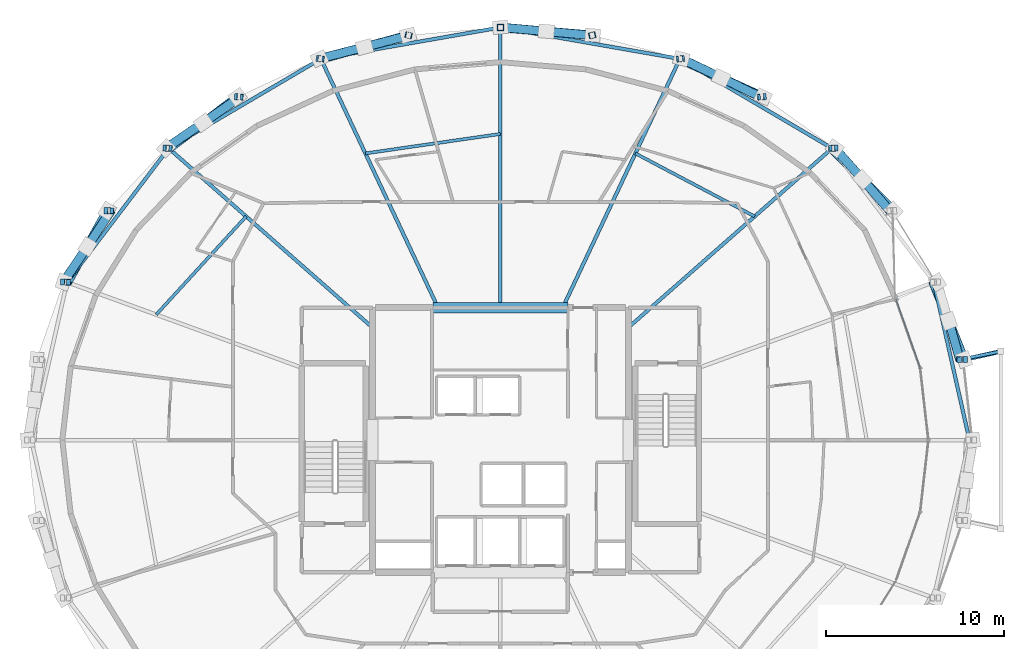
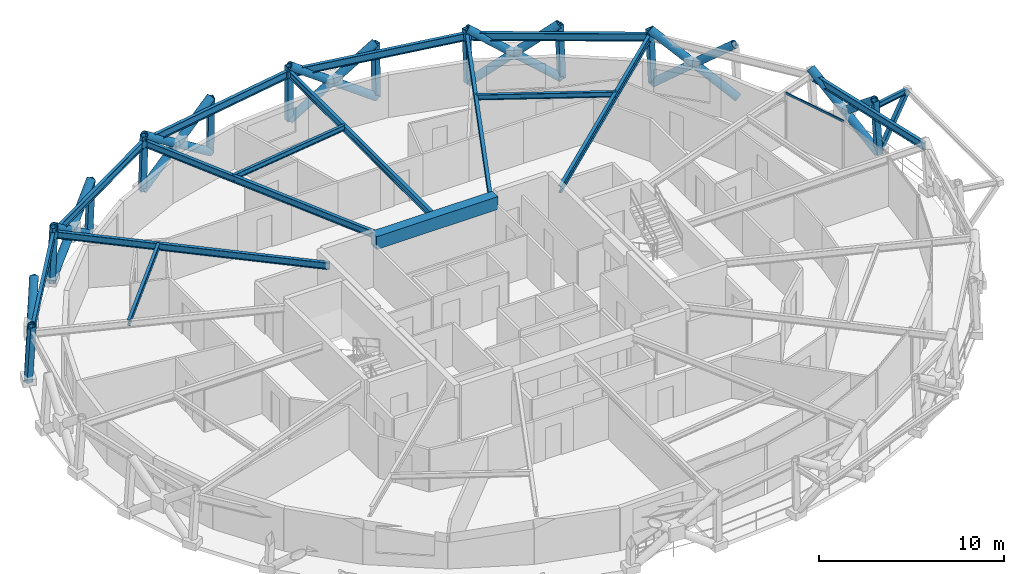
# One storey, part 9 of 17: 34 members, 16 beams, 1 element without a shape of its own.
"""IFC4 building model written with IfcOpenShell, lengths in metres."""

from ifc_helpers import new_model, si_unit, direction, frame, origin, origin_2d, place, context, subcontext, project, spatial, rectangle, hollow_rectangle, hollow_circle, i_section, extrude, material, layer, layer_set, material_profile, profile_set, type_object, element, aggregate, save


model = new_model("IFC4")

# Units and contexts
model_context = context("Model", 3, precision=1e-05, world=origin(), true_north=direction((0.0, 1.0)))
body_context = subcontext(model_context, "Body", "Model", "MODEL_VIEW")
ifc_project = project(units=[si_unit("LENGTHUNIT", "METRE"), si_unit("AREAUNIT", "SQUARE_METRE"), si_unit("VOLUMEUNIT", "CUBIC_METRE"), si_unit("PLANEANGLEUNIT", "RADIAN"), si_unit("MASSUNIT", "GRAM", prefix="KILO")], contexts=[model_context])

# Site, building, storey
site_placement = place(None, origin())
site = spatial("IfcSite", under=ifc_project, at=site_placement, CompositionType="ELEMENT")
building_placement = place(site_placement, origin())
building = spatial("IfcBuilding", under=site, at=building_placement, Name="Veldorina Hangang Commons", CompositionType="ELEMENT")
storey_placement = place(building_placement, frame((0.0, 0.0, 196.39990234375)))
storey = spatial("IfcBuildingStorey", under=building, at=storey_placement, Name="L51", CompositionType="ELEMENT", Elevation=196.39990234375)

# Beams
ifc_material_1 = material(Name="Concrete C60/75", Category="concrete")
ifc_material_profile_1 = material_profile(ifc_material_1, rectangle(XDim=0.60009765625, YDim=0.85009765625, at=origin_2d()), Name="RC-CB-600x850")
ifc_profile_set_1 = profile_set([ifc_material_profile_1], Name="Concrete C60/75")
beam_type_1 = type_object("IfcBeamType", Name="BM-CB850", PredefinedType="LINTEL", material=ifc_profile_set_1)
beam_1_placement = place(storey_placement, frame((28.199951171875, 31.449951171875, 2.925048828125), z_axis=(1.0, 0.0, 0.0), x_axis=(0.0, 1.0, 0.0)))
element("IfcBeam", 1, at=beam_1_placement, inside=storey, type_object=beam_type_1, Name="L51 north core coupling beam", PredefinedType="LINTEL", context=body_context, shape_type="SweptSolid", body=[
    extrude(rectangle(XDim=0.60009765625, YDim=0.85009765625, at=origin_2d()), origin(), (0.0, 0.0, 1.0), 7.60009765625),
])
ifc_material_2 = material(Name="Steel SM355-TMC", Category="steel")
ifc_material_profile_2 = material_profile(ifc_material_2, i_section(OverallWidth=0.175048828125, OverallDepth=0.35009765625, WebThickness=0.007080078125, FlangeThickness=0.010986328125, FilletRadius=0.012939453125, at=origin_2d()), Name="H-350x175x7x11")
ifc_profile_set_2 = profile_set([ifc_material_profile_2], Name="Steel SM355-TMC")
beam_type_2 = type_object("IfcBeamType", Name="BM-FG350", PredefinedType="BEAM", material=ifc_profile_set_2)
beam_2_placement = place(storey_placement, frame((57.85400390625, 28.529052734375, 3.175048828125), z_axis=(0.980779967158, 0.195117031602, 0.0), x_axis=(-0.195117031602, 0.980779967158, 0.0)))
element("IfcBeam", 2, at=beam_2_placement, inside=storey, type_object=beam_type_2, Name="L52 tree balcony 2 bracket beam B", PredefinedType="BEAM", context=body_context, shape_type="SweptSolid", body=[
    extrude(i_section(OverallWidth=0.175048828125, OverallDepth=0.35009765625, WebThickness=0.007080078125, FlangeThickness=0.010986328125, FilletRadius=0.012939453125, at=origin_2d()), origin(), (0.0, 0.0, 1.0), 2.349853515625),
])
ifc_material_profile_3 = material_profile(ifc_material_2, i_section(OverallWidth=0.199951171875, OverallDepth=0.449951171875, WebThickness=0.009033203125, FlangeThickness=0.013916015625, FilletRadius=0.01611328125, at=origin_2d()), Name="H-450x200x9x14")
ifc_profile_set_3 = profile_set([ifc_material_profile_3], Name="Steel SM355-TMC")
beam_type_3 = type_object("IfcBeamType", Name="BM-FG450", PredefinedType="BEAM", material=ifc_profile_set_3)
beam_3_placement = place(storey_placement, frame((39.199951171875, 30.3330078125, 3.125), z_axis=(0.750872417712, 0.660447282013, 0.0), x_axis=(-0.660447282013, 0.750872417712, 0.0)))
element("IfcBeam", 3, at=beam_3_placement, inside=storey, type_object=beam_type_3, Name="L51 radial floor girder 03", PredefinedType="BEAM", context=body_context, shape_type="SweptSolid", body=[
    extrude(i_section(OverallWidth=0.199951171875, OverallDepth=0.449951171875, WebThickness=0.009033203125, FlangeThickness=0.013916015625, FilletRadius=0.01611328125, at=origin_2d()), origin(), (0.0, 0.0, 1.0), 15.26806640625),
])
beam_4_placement = place(storey_placement, frame((35.50830078125, 31.449951171875, 3.125), z_axis=(0.426043196032, 0.904702821436, 0.0), x_axis=(-0.904702821436, 0.426043196032, 0.0)))
element("IfcBeam", 4, at=beam_4_placement, inside=storey, type_object=beam_type_3, Name="L51 radial floor girder 04", PredefinedType="BEAM", context=body_context, shape_type="SweptSolid", body=[
    extrude(i_section(OverallWidth=0.199951171875, OverallDepth=0.449951171875, WebThickness=0.009033203125, FlangeThickness=0.013916015625, FilletRadius=0.01611328125, at=origin_2d()), origin(), (0.0, 0.0, 1.0), 15.474365234375),
])
beam_5_placement = place(storey_placement, frame((32.0, 31.449951171875, 3.125), z_axis=(0.0, 1.0, 0.0), x_axis=(-1.0, 0.0, 0.0)))
element("IfcBeam", 5, at=beam_5_placement, inside=storey, type_object=beam_type_3, Name="L51 radial floor girder 05", PredefinedType="BEAM", context=body_context, shape_type="SweptSolid", body=[
    extrude(i_section(OverallWidth=0.199951171875, OverallDepth=0.449951171875, WebThickness=0.009033203125, FlangeThickness=0.013916015625, FilletRadius=0.01611328125, at=origin_2d()), origin(), (0.0, 0.0, 1.0), 15.766845703125),
])
beam_6_placement = place(storey_placement, frame((28.49169921875, 31.449951171875, 3.125), z_axis=(-0.426043196032, 0.904702821436, 0.0), x_axis=(-0.904702821436, -0.426043196032, 0.0)))
element("IfcBeam", 6, at=beam_6_placement, inside=storey, type_object=beam_type_3, Name="L51 radial floor girder 06", PredefinedType="BEAM", context=body_context, shape_type="SweptSolid", body=[
    extrude(i_section(OverallWidth=0.199951171875, OverallDepth=0.449951171875, WebThickness=0.009033203125, FlangeThickness=0.013916015625, FilletRadius=0.01611328125, at=origin_2d()), origin(), (0.0, 0.0, 1.0), 15.474365234375),
])
beam_7_placement = place(storey_placement, frame((24.800048828125, 30.3330078125, 3.125), z_axis=(-0.750872417712, 0.660447282013, 0.0), x_axis=(-0.660447282013, -0.750872417712, 0.0)))
element("IfcBeam", 7, at=beam_7_placement, inside=storey, type_object=beam_type_3, Name="L51 radial floor girder 07", PredefinedType="BEAM", context=body_context, shape_type="SweptSolid", body=[
    extrude(i_section(OverallWidth=0.199951171875, OverallDepth=0.449951171875, WebThickness=0.009033203125, FlangeThickness=0.013916015625, FilletRadius=0.01611328125, at=origin_2d()), origin(), (0.0, 0.0, 1.0), 15.26806640625),
])
ifc_material_profile_4 = material_profile(ifc_material_2, i_section(OverallWidth=0.175048828125, OverallDepth=0.35009765625, WebThickness=0.007080078125, FlangeThickness=0.010986328125, FilletRadius=0.012939453125, at=origin_2d()), Name="H-350x175x7x11")
ifc_profile_set_4 = profile_set([ifc_material_profile_4], Name="Steel SM355-TMC")
beam_type_4 = type_object("IfcBeamType", Name="BM-JST350", PredefinedType="JOIST", material=ifc_profile_set_4)
beam_8_placement = place(storey_placement, frame((46.307861328125, 36.5849609375, 3.175048828125), z_axis=(-0.884247518612, 0.467018549769, 0.0), x_axis=(-0.467018549769, -0.884247518612, 0.0)))
element("IfcBeam", 8, at=beam_8_placement, inside=storey, type_object=beam_type_4, Name="L51 secondary floor joist 03", PredefinedType="JOIST", context=body_context, shape_type="SweptSolid", body=[
    extrude(i_section(OverallWidth=0.175048828125, OverallDepth=0.35009765625, WebThickness=0.007080078125, FlangeThickness=0.010986328125, FilletRadius=0.012939453125, at=origin_2d()), origin(), (0.0, 0.0, 1.0), 7.590576171875),
])
beam_9_placement = place(storey_placement, frame((32.0, 41.2255859375, 3.175048828125), z_axis=(-0.989755795324, -0.14277067494, 0.0), x_axis=(0.14277067494, -0.989755795324, 0.0)))
element("IfcBeam", 9, at=beam_9_placement, inside=storey, type_object=beam_type_4, Name="L51 secondary floor joist 05", PredefinedType="JOIST", context=body_context, shape_type="SweptSolid", body=[
    extrude(i_section(OverallWidth=0.175048828125, OverallDepth=0.35009765625, WebThickness=0.007080078125, FlangeThickness=0.010986328125, FilletRadius=0.012939453125, at=origin_2d()), origin(), (0.0, 0.0, 1.0), 7.674560546875),
])
beam_10_placement = place(storey_placement, frame((17.692138671875, 36.5849609375, 3.175048828125), z_axis=(-0.675159460548, -0.737671812415, 0.0), x_axis=(0.737671812415, -0.675159460548, 0.0)))
element("IfcBeam", 10, at=beam_10_placement, inside=storey, type_object=beam_type_4, Name="L51 secondary floor joist 07", PredefinedType="JOIST", context=body_context, shape_type="SweptSolid", body=[
    extrude(i_section(OverallWidth=0.175048828125, OverallDepth=0.35009765625, WebThickness=0.007080078125, FlangeThickness=0.010986328125, FilletRadius=0.012939453125, at=origin_2d()), origin(), (0.0, 0.0, 1.0), 7.49462890625),
])
ifc_material_3 = material(Name="Steel SM420-TMC", Category="steel")
ifc_material_profile_5 = material_profile(ifc_material_3, i_section(OverallWidth=0.199951171875, OverallDepth=0.5, WebThickness=0.010009765625, FlangeThickness=0.01611328125, FilletRadius=0.01611328125, at=origin_2d()), Name="H-500x200x10x16")
ifc_profile_set_5 = profile_set([ifc_material_profile_5], Name="Steel SM420-TMC")
beam_type_5 = type_object("IfcBeamType", Name="BM-RB500", PredefinedType="BEAM", material=ifc_profile_set_5)
beam_11_placement = place(storey_placement, frame((58.3955078125, 24.0, 3.10009765625), z_axis=(-0.220578394149, 0.975369249072, 0.0), x_axis=(-0.975369249072, -0.220578394149, 0.0)))
element("IfcBeam", 11, at=beam_11_placement, inside=storey, type_object=beam_type_5, Name="L51 perimeter hoop ring beam 00", PredefinedType="BEAM", context=body_context, shape_type="SweptSolid", body=[
    extrude(i_section(OverallWidth=0.199951171875, OverallDepth=0.5, WebThickness=0.010009765625, FlangeThickness=0.01611328125, FilletRadius=0.01611328125, at=origin_2d()), origin(), (0.0, 0.0, 1.0), 9.109130859375),
])
beam_12_placement = place(storey_placement, frame((50.664306640625, 40.416748046875, 3.10009765625), z_axis=(-0.862120555548, 0.506703214615, 0.0), x_axis=(-0.506703214615, -0.862120555548, 0.0)))
element("IfcBeam", 12, at=beam_12_placement, inside=storey, type_object=beam_type_5, Name="L51 perimeter hoop ring beam 04", PredefinedType="BEAM", context=body_context, shape_type="SweptSolid", body=[
    extrude(i_section(OverallWidth=0.199951171875, OverallDepth=0.5, WebThickness=0.010009765625, FlangeThickness=0.01611328125, FilletRadius=0.01611328125, at=origin_2d()), origin(), (0.0, 0.0, 1.0), 9.932861328125),
])
for number, where, z_axis, x_axis, name in (
    (13, (42.10107421875, 45.44970703125, 3.10009765625), (-0.985040369971, 0.172323734661, 0.0), (-0.172323734661, -0.985040369971, 0.0), "L51 perimeter hoop ring beam 06"),
    (14, (32.0, 47.216796875, 3.10009765625), (-0.985040369971, -0.172323734661, 0.0), (0.172323734661, -0.985040369971, 0.0), "L51 perimeter hoop ring beam 08"),
):
    element("IfcBeam", number, at=place(storey_placement, frame(where, z_axis=z_axis, x_axis=x_axis)), inside=storey, type_object=beam_type_5, Name=name, PredefinedType="BEAM", context=body_context, shape_type="SweptSolid", body=[
        extrude(i_section(OverallWidth=0.199951171875, OverallDepth=0.5, WebThickness=0.010009765625, FlangeThickness=0.01611328125, FilletRadius=0.01611328125, at=origin_2d()), origin(), (0.0, 0.0, 1.0), 10.25439453125),
    ])
beam_13_placement = place(storey_placement, frame((21.89892578125, 45.44970703125, 3.10009765625), z_axis=(-0.862120555548, -0.506703214615, 0.0), x_axis=(0.506703214615, -0.862120555548, 0.0)))
element("IfcBeam", 15, at=beam_13_placement, inside=storey, type_object=beam_type_5, Name="L51 perimeter hoop ring beam 10", PredefinedType="BEAM", context=body_context, shape_type="SweptSolid", body=[
    extrude(i_section(OverallWidth=0.199951171875, OverallDepth=0.5, WebThickness=0.010009765625, FlangeThickness=0.01611328125, FilletRadius=0.01611328125, at=origin_2d()), origin(), (0.0, 0.0, 1.0), 9.932861328125),
])
beam_14_placement = place(storey_placement, frame((13.335693359375, 40.416748046875, 3.10009765625), z_axis=(-0.604923575038, -0.796283535158, 0.0), x_axis=(0.796283535158, -0.604923575038, 0.0)))
element("IfcBeam", 16, at=beam_14_placement, inside=storey, type_object=beam_type_5, Name="L51 perimeter hoop ring beam 12", PredefinedType="BEAM", context=body_context, shape_type="SweptSolid", body=[
    extrude(i_section(OverallWidth=0.199951171875, OverallDepth=0.5, WebThickness=0.010009765625, FlangeThickness=0.01611328125, FilletRadius=0.01611328125, at=origin_2d()), origin(), (0.0, 0.0, 1.0), 9.458984375),
])

# Curtain wall, member
ifc_material_4 = material(Name="Glass Low-E Triple IGU", Category="glass")
ifc_layer = layer(ifc_material_4, 0.179931640625)
ifc_layer_set = layer_set([ifc_layer], Name="Glass Low-E Triple IGU")
curtain_wall_type = type_object("IfcCurtainWallType", Name="CW-SYS-Z2", PredefinedType="NOTDEFINED", material=ifc_layer_set)
curtain_wall_placement = place(storey_placement, origin())
curtain_wall = element("IfcCurtainWall", 17, at=curtain_wall_placement, inside=storey, type_object=curtain_wall_type, Name="L51 unitised curtain wall CW-L51-R2", PredefinedType="NOTDEFINED")
ifc_material_5 = material(Name="Aluminium Anodized AA6063-T6", Category="aluminium")
ifc_material_profile_6 = material_profile(ifc_material_5, hollow_rectangle(XDim=0.06005859375, YDim=0.139892578125, WallThickness=0.00341796875, at=origin_2d()), Name="ALU-RHS-140x60x3.5")
ifc_profile_set_6 = profile_set([ifc_material_profile_6], Name="Aluminium Anodized AA6063-T6")
member_type_1 = type_object("IfcMemberType", Name="CW-TRN-140", PredefinedType="USERDEFINED", material=ifc_profile_set_6)
member_1_placement = place(storey_placement, frame((55.62890625, 28.039794921875, 3.27001953125), z_axis=(-0.332786016012, 0.943002368792, 0.0), x_axis=(-0.943002368792, -0.332786016012, 0.0)))
member_1 = element("IfcMember", 18, at=member_1_placement, type_object=member_type_1, Name="CW-L51-R2 facet 5 transom 1", ObjectType="TRANSOM", PredefinedType="USERDEFINED", context=body_context, shape_type="SweptSolid", body=[
    extrude(hollow_rectangle(XDim=0.06005859375, YDim=0.139892578125, WallThickness=0.00341796875, at=origin_2d()), origin(), (0.0, 0.0, 1.0), 4.119384765625),
])
aggregate(curtain_wall, [member_1])

# Members
ifc_material_profile_7 = material_profile(ifc_material_3, hollow_circle(Radius=0.25, WallThickness=0.02490234375, at=origin_2d()), Name="CHS-500x25")
ifc_profile_set_7 = profile_set([ifc_material_profile_7], Name="Steel SM420-TMC")
member_type_2 = type_object("IfcMemberType", Name="DG-CHS500", PredefinedType="BRACE", material=ifc_profile_set_7)
member_2_placement = place(storey_placement, frame((58.1005859375, 28.531494140625, 0.0), z_axis=(-0.295412634281, 0.736177864686, 0.608911756376), x_axis=(-0.928066853742, -0.372413634265, 0.0)))
element("IfcMember", 19, at=member_2_placement, inside=storey, type_object=member_type_2, Name="L51 continuous perimeter diagrid brace 01", PredefinedType="BRACE", context=body_context, shape_type="SweptSolid", body=[
    extrude(hollow_circle(Radius=0.25, WallThickness=0.02490234375, at=origin_2d()), origin(), (0.0, 0.0, 1.0), 5.912353515625),
])
member_3_placement = place(storey_placement, frame((57.2265625, 30.70947265625, 1.801513671875), z_axis=(0.216709601771, -0.753086946855, 0.621206084143), x_axis=(0.961002484027, 0.276539736194, 0.0)))
element("IfcMember", 20, at=member_3_placement, inside=storey, type_object=member_type_2, Name="L51 split perimeter diagrid upper brace 02", PredefinedType="BRACE", context=body_context, shape_type="SweptSolid", body=[
    extrude(hollow_circle(Radius=0.25, WallThickness=0.02490234375, at=origin_2d()), origin(), (0.0, 0.0, 1.0), 2.895263671875),
])
member_4_placement = place(storey_placement, frame((54.126953125, 36.904296875, 0.0), z_axis=(-0.569848896986, 0.573758529575, 0.58828002205), x_axis=(-0.709520009725, -0.70468528848, 0.0)))
element("IfcMember", 21, at=member_4_placement, inside=storey, type_object=member_type_2, Name="L51 continuous perimeter diagrid brace 03", PredefinedType="BRACE", context=body_context, shape_type="SweptSolid", body=[
    extrude(hollow_circle(Radius=0.25, WallThickness=0.02490234375, at=origin_2d()), origin(), (0.0, 0.0, 1.0), 6.11962890625),
])
member_5_placement = place(storey_placement, frame((50.8173828125, 40.42431640625, 0.0), z_axis=(0.52668884947, -0.593626169248, 0.608446240047), x_axis=(0.748021470714, 0.663674528177, 0.0)))
element("IfcMember", 22, at=member_5_placement, inside=storey, type_object=member_type_2, Name="L51 split perimeter diagrid lower brace 04", PredefinedType="BRACE", context=body_context, shape_type="SweptSolid", body=[
    extrude(hollow_circle(Radius=0.25, WallThickness=0.02490234375, at=origin_2d()), origin(), (0.0, 0.0, 1.0), 2.96533203125),
])
member_6_placement = place(storey_placement, frame((52.379150390625, 38.6640625, 1.80419921875), z_axis=(0.521312007407, -0.598396378485, 0.608404113357), x_axis=(0.75400167093, 0.656872499222, 0.0)))
element("IfcMember", 23, at=member_6_placement, inside=storey, type_object=member_type_2, Name="L51 split perimeter diagrid upper brace 04", PredefinedType="BRACE", context=body_context, shape_type="SweptSolid", body=[
    extrude(hollow_circle(Radius=0.25, WallThickness=0.02490234375, at=origin_2d()), origin(), (0.0, 0.0, 1.0), 2.951904296875),
])
member_7_placement = place(storey_placement, frame((46.784912109375, 43.312744140625, 0.0), z_axis=(-0.746592363198, 0.339381331004, 0.572206392293), x_axis=(-0.413824333539, -0.910356754779, 0.0)))
element("IfcMember", 24, at=member_7_placement, inside=storey, type_object=member_type_2, Name="L51 continuous perimeter diagrid brace 05", PredefinedType="BRACE", context=body_context, shape_type="SweptSolid", body=[
    extrude(hollow_circle(Radius=0.25, WallThickness=0.02490234375, at=origin_2d()), origin(), (0.0, 0.0, 1.0), 6.29150390625),
])
member_8_placement = place(storey_placement, frame((42.183837890625, 45.459228515625, 0.0), z_axis=(0.729605011064, -0.349556079528, 0.58778148584), x_axis=(0.432073614769, 0.901838339959, 0.0)))
element("IfcMember", 25, at=member_8_placement, inside=storey, type_object=member_type_2, Name="L51 split perimeter diagrid lower brace 06", PredefinedType="BRACE", context=body_context, shape_type="SweptSolid", body=[
    extrude(hollow_circle(Radius=0.25, WallThickness=0.02490234375, at=origin_2d()), origin(), (0.0, 0.0, 1.0), 3.074462890625),
])
member_9_placement = place(storey_placement, frame((44.427001953125, 44.384521484375, 1.80712890625), z_axis=(0.72713672016, -0.354644227521, 0.58779219294), x_axis=(0.43836710545, 0.898796017381, 0.0)))
element("IfcMember", 26, at=member_9_placement, inside=storey, type_object=member_type_2, Name="L51 split perimeter diagrid upper brace 06", PredefinedType="BRACE", context=body_context, shape_type="SweptSolid", body=[
    extrude(hollow_circle(Radius=0.25, WallThickness=0.02490234375, at=origin_2d()), origin(), (0.0, 0.0, 1.0), 3.05029296875),
])
member_10_placement = place(storey_placement, frame((37.191650390625, 46.781005859375, 0.0), z_axis=(-0.819823666124, 0.068546742458, 0.568498461353), x_axis=(-0.08332083198, -0.996522773929, 0.0)))
element("IfcMember", 27, at=member_10_placement, inside=storey, type_object=member_type_2, Name="L51 continuous perimeter diagrid brace 07", PredefinedType="BRACE", context=body_context, shape_type="SweptSolid", body=[
    extrude(hollow_circle(Radius=0.25, WallThickness=0.02490234375, at=origin_2d()), origin(), (0.0, 0.0, 1.0), 6.332763671875),
])
member_11_placement = place(storey_placement, frame((32.0, 47.227294921875, 0.0), z_axis=(0.817072425882, -0.072194549064, 0.571997026171), x_axis=(0.088014688191, 0.996119176938, 0.0)))
element("IfcMember", 28, at=member_11_placement, inside=storey, type_object=member_type_2, Name="L51 split perimeter diagrid lower brace 08", PredefinedType="BRACE", context=body_context, shape_type="SweptSolid", body=[
    extrude(hollow_circle(Radius=0.25, WallThickness=0.02490234375, at=origin_2d()), origin(), (0.0, 0.0, 1.0), 3.161865234375),
])
member_12_placement = place(storey_placement, frame((34.58349609375, 46.9990234375, 1.80859375), z_axis=(0.816998791874, -0.073422329894, 0.571945920127), x_axis=(0.089507626494, 0.995986136851, 0.0)))
element("IfcMember", 29, at=member_12_placement, inside=storey, type_object=member_type_2, Name="L51 split perimeter diagrid upper brace 08", PredefinedType="BRACE", context=body_context, shape_type="SweptSolid", body=[
    extrude(hollow_circle(Radius=0.25, WallThickness=0.02490234375, at=origin_2d()), origin(), (0.0, 0.0, 1.0), 3.13232421875),
])
member_13_placement = place(storey_placement, frame((26.808349609375, 46.781005859375, 0.0), z_axis=(-0.786934353182, -0.214254591023, 0.578644358832), x_axis=(0.262702121092, -0.964876984684, 0.0)))
element("IfcMember", 30, at=member_13_placement, inside=storey, type_object=member_type_2, Name="L51 continuous perimeter diagrid brace 09", PredefinedType="BRACE", context=body_context, shape_type="SweptSolid", body=[
    extrude(hollow_circle(Radius=0.25, WallThickness=0.02490234375, at=origin_2d()), origin(), (0.0, 0.0, 1.0), 6.2216796875),
])
member_14_placement = place(storey_placement, frame((21.816162109375, 45.459228515625, 0.0), z_axis=(0.796623827357, 0.205144455156, 0.568600237606), x_axis=(-0.249381190538, 0.968405401578, 0.0)))
element("IfcMember", 31, at=member_14_placement, inside=storey, type_object=member_type_2, Name="L51 split perimeter diagrid lower brace 10", PredefinedType="BRACE", context=body_context, shape_type="SweptSolid", body=[
    extrude(hollow_circle(Radius=0.25, WallThickness=0.02490234375, at=origin_2d()), origin(), (0.0, 0.0, 1.0), 3.179931640625),
])
member_15_placement = place(storey_placement, frame((24.349365234375, 46.111572265625, 1.80810546875), z_axis=(0.795753396541, 0.208601566912, 0.56856127038), x_axis=(-0.253575481187, 0.967315602759, 0.0)))
element("IfcMember", 32, at=member_15_placement, inside=storey, type_object=member_type_2, Name="L51 split perimeter diagrid upper brace 10", PredefinedType="BRACE", context=body_context, shape_type="SweptSolid", body=[
    extrude(hollow_circle(Radius=0.25, WallThickness=0.02490234375, at=origin_2d()), origin(), (0.0, 0.0, 1.0), 3.15185546875),
])
member_16_placement = place(storey_placement, frame((17.215087890625, 43.312744140625, 0.0), z_axis=(-0.640558891177, -0.481443559542, 0.598244436589), x_axis=(0.600817855641, -0.799385954557, 0.0)))
element("IfcMember", 33, at=member_16_placement, inside=storey, type_object=member_type_2, Name="L51 continuous perimeter diagrid brace 11", PredefinedType="BRACE", context=body_context, shape_type="SweptSolid", body=[
    extrude(hollow_circle(Radius=0.25, WallThickness=0.02490234375, at=origin_2d()), origin(), (0.0, 0.0, 1.0), 6.017822265625),
])
member_17_placement = place(storey_placement, frame((13.1826171875, 40.42431640625, 0.0), z_axis=(0.672983786345, 0.460215386754, 0.579046303082), x_axis=(-0.564477373183, 0.825448541803, 0.0)))
element("IfcMember", 34, at=member_17_placement, inside=storey, type_object=member_type_2, Name="L51 split perimeter diagrid lower brace 12", PredefinedType="BRACE", context=body_context, shape_type="SweptSolid", body=[
    extrude(hollow_circle(Radius=0.25, WallThickness=0.02490234375, at=origin_2d()), origin(), (0.0, 0.0, 1.0), 3.11865234375),
])
member_18_placement = place(storey_placement, frame((15.281494140625, 41.859619140625, 1.805908203125), z_axis=(0.669178486613, 0.465738141336, 0.579040703888), x_axis=(-0.57124852378, 0.820777146416, 0.0)))
element("IfcMember", 35, at=member_18_placement, inside=storey, type_object=member_type_2, Name="L51 split perimeter diagrid upper brace 12", PredefinedType="BRACE", context=body_context, shape_type="SweptSolid", body=[
    extrude(hollow_circle(Radius=0.25, WallThickness=0.02490234375, at=origin_2d()), origin(), (0.0, 0.0, 1.0), 3.0986328125),
])
member_19_placement = place(storey_placement, frame((9.873046875, 36.904296875, 0.0), z_axis=(-0.381470844558, -0.68862973003, 0.616659622216), x_axis=(0.874750479977, -0.484573624725, 0.0)))
element("IfcMember", 36, at=member_19_placement, inside=storey, type_object=member_type_2, Name="L51 continuous perimeter diagrid brace 13", PredefinedType="BRACE", context=body_context, shape_type="SweptSolid", body=[
    extrude(hollow_circle(Radius=0.25, WallThickness=0.02490234375, at=origin_2d()), origin(), (0.0, 0.0, 1.0), 5.838134765625),
])
member_20_placement = place(storey_placement, frame((7.413818359375, 32.888671875, 0.0), z_axis=(0.446341699194, 0.66509372543, 0.598689756013), x_axis=(-0.830348932542, 0.557243797835, 0.0)))
element("IfcMember", 37, at=member_20_placement, inside=storey, type_object=member_type_2, Name="L51 split perimeter diagrid lower brace 14", PredefinedType="BRACE", context=body_context, shape_type="SweptSolid", body=[
    extrude(hollow_circle(Radius=0.25, WallThickness=0.02490234375, at=origin_2d()), origin(), (0.0, 0.0, 1.0), 3.01123046875),
])
member_21_placement = place(storey_placement, frame((8.7578125, 34.891357421875, 1.802734375), z_axis=(0.441173445855, 0.668429826334, 0.598805108478), x_axis=(-0.834603803708, 0.550850697409, 0.0)))
element("IfcMember", 38, at=member_21_placement, inside=storey, type_object=member_type_2, Name="L51 split perimeter diagrid upper brace 14", PredefinedType="BRACE", context=body_context, shape_type="SweptSolid", body=[
    extrude(hollow_circle(Radius=0.25, WallThickness=0.02490234375, at=origin_2d()), origin(), (0.0, 0.0, 1.0), 3.00146484375),
])
ifc_material_profile_8 = material_profile(ifc_material_2, hollow_rectangle(XDim=0.25, YDim=0.25, WallThickness=0.011962890625, at=origin_2d()), Name="SHS-250x250x12")
ifc_profile_set_8 = profile_set([ifc_material_profile_8], Name="Steel SM355-TMC")
member_type_3 = type_object("IfcMemberType", Name="STR-SHS250", PredefinedType="STRUT", material=ifc_profile_set_8)
member_22_placement = place(storey_placement, frame((58.1005859375, 28.531494140625, 0.0), z_axis=(0.540024863984, 0.119663872589, 0.833098856004), x_axis=(-0.216341807345, 0.97631768518, 0.0)))
element("IfcMember", 39, at=member_22_placement, inside=storey, type_object=member_type_3, Name="L52 tree balcony 2 raking knee strut B", PredefinedType="STRUT", context=body_context, shape_type="SweptSolid", body=[
    extrude(hollow_rectangle(XDim=0.25, YDim=0.25, WallThickness=0.011962890625, at=origin_2d()), origin(), (0.0, 0.0, 1.0), 3.81103515625),
])
ifc_material_profile_9 = material_profile(ifc_material_2, hollow_rectangle(XDim=0.35009765625, YDim=0.35009765625, WallThickness=0.01611328125, at=origin_2d()), Name="SHS-350x350x16")
ifc_profile_set_9 = profile_set([ifc_material_profile_9], Name="Steel SM355-TMC")
member_type_4 = type_object("IfcMemberType", Name="STR-SHS350", PredefinedType="STRUT", material=ifc_profile_set_9)
member_23_placement = place(storey_placement, frame((58.1005859375, 28.531494140625, 0.0), z_axis=(-0.06833303677, -0.00067656472, 0.997662336838), x_axis=(0.00990050484, -0.999950988801, 0.0)))
element("IfcMember", 40, at=member_23_placement, inside=storey, type_object=member_type_4, Name="L51 perimeter ring node post 01", PredefinedType="STRUT", context=body_context, shape_type="SweptSolid", body=[
    extrude(hollow_rectangle(XDim=0.35009765625, YDim=0.35009765625, WallThickness=0.01611328125, at=origin_2d()), origin(), (0.0, 0.0, 1.0), 3.608642578125),
])
member_24_placement = place(storey_placement, frame((50.8173828125, 40.42431640625, 0.0), z_axis=(-0.049309119006, -0.002438363028, 0.998780589103), x_axis=(0.049390197994, -0.998779559433, 0.0)))
element("IfcMember", 41, at=member_24_placement, inside=storey, type_object=member_type_4, Name="L51 perimeter ring node post 04", PredefinedType="STRUT", context=body_context, shape_type="SweptSolid", body=[
    extrude(hollow_rectangle(XDim=0.35009765625, YDim=0.35009765625, WallThickness=0.01611328125, at=origin_2d()), origin(), (0.0, 0.0, 1.0), 3.6044921875),
])
member_25_placement = place(storey_placement, frame((46.784912109375, 43.312744140625, 0.0), z_axis=(-0.038828542015, -0.002778307544, 0.999242025403), x_axis=(0.071370757575, -0.997449855864, 0.0)))
element("IfcMember", 42, at=member_25_placement, inside=storey, type_object=member_type_4, Name="L51 perimeter ring node post 05", PredefinedType="STRUT", context=body_context, shape_type="SweptSolid", body=[
    extrude(hollow_rectangle(XDim=0.35009765625, YDim=0.35009765625, WallThickness=0.01611328125, at=origin_2d()), origin(), (0.0, 0.0, 1.0), 3.602783203125),
])
member_26_placement = place(storey_placement, frame((42.183837890625, 45.459228515625, 0.0), z_axis=(-0.026709447975, -0.003118361946, 0.999638375218), x_axis=(0.115963602348, -0.993253463588, 0.0)))
element("IfcMember", 43, at=member_26_placement, inside=storey, type_object=member_type_4, Name="L51 perimeter ring node post 06", PredefinedType="STRUT", context=body_context, shape_type="SweptSolid", body=[
    extrude(hollow_rectangle(XDim=0.35009765625, YDim=0.35009765625, WallThickness=0.01611328125, at=origin_2d()), origin(), (0.0, 0.0, 1.0), 3.601318359375),
])
member_27_placement = place(storey_placement, frame((37.191650390625, 46.781005859375, 0.0), z_axis=(-0.013629473783, -0.003322608037, 0.999901594018), x_axis=(0.236844906121, -0.971547472049, 0.0)))
element("IfcMember", 44, at=member_27_placement, inside=storey, type_object=member_type_4, Name="L51 perimeter ring node post 07", PredefinedType="STRUT", context=body_context, shape_type="SweptSolid", body=[
    extrude(hollow_rectangle(XDim=0.35009765625, YDim=0.35009765625, WallThickness=0.01611328125, at=origin_2d()), origin(), (0.0, 0.0, 1.0), 3.600341796875),
])
member_28_placement = place(storey_placement, frame((32.0, 47.227294921875, 0.0), z_axis=(0.0, -0.003390730542, 0.999994251457), x_axis=(1.0, 0.0, 0.0)))
element("IfcMember", 45, at=member_28_placement, inside=storey, type_object=member_type_4, Name="L51 perimeter ring node post 08", PredefinedType="STRUT", context=body_context, shape_type="SweptSolid", body=[
    extrude(hollow_rectangle(XDim=0.35009765625, YDim=0.35009765625, WallThickness=0.01611328125, at=origin_2d()), origin(), (0.0, 0.0, 1.0), 3.60009765625),
])
member_29_placement = place(storey_placement, frame((26.808349609375, 46.781005859375, 0.0), z_axis=(0.013629473783, -0.003322608037, 0.999901594018), x_axis=(0.236844906121, 0.971547472049, 0.0)))
element("IfcMember", 46, at=member_29_placement, inside=storey, type_object=member_type_4, Name="L51 perimeter ring node post 09", PredefinedType="STRUT", context=body_context, shape_type="SweptSolid", body=[
    extrude(hollow_rectangle(XDim=0.35009765625, YDim=0.35009765625, WallThickness=0.01611328125, at=origin_2d()), origin(), (0.0, 0.0, 1.0), 3.600341796875),
])
member_30_placement = place(storey_placement, frame((21.816162109375, 45.459228515625, 0.0), z_axis=(0.026709447975, -0.003118361946, 0.999638375218), x_axis=(0.115963602348, 0.993253463588, 0.0)))
element("IfcMember", 47, at=member_30_placement, inside=storey, type_object=member_type_4, Name="L51 perimeter ring node post 10", PredefinedType="STRUT", context=body_context, shape_type="SweptSolid", body=[
    extrude(hollow_rectangle(XDim=0.35009765625, YDim=0.35009765625, WallThickness=0.01611328125, at=origin_2d()), origin(), (0.0, 0.0, 1.0), 3.601318359375),
])
member_31_placement = place(storey_placement, frame((17.215087890625, 43.312744140625, 0.0), z_axis=(0.038828542015, -0.002778307544, 0.999242025403), x_axis=(0.071370757575, 0.997449855864, 0.0)))
element("IfcMember", 48, at=member_31_placement, inside=storey, type_object=member_type_4, Name="L51 perimeter ring node post 11", PredefinedType="STRUT", context=body_context, shape_type="SweptSolid", body=[
    extrude(hollow_rectangle(XDim=0.35009765625, YDim=0.35009765625, WallThickness=0.01611328125, at=origin_2d()), origin(), (0.0, 0.0, 1.0), 3.602783203125),
])
member_32_placement = place(storey_placement, frame((13.1826171875, 40.42431640625, 0.0), z_axis=(0.049309119006, -0.002438363028, 0.998780589103), x_axis=(0.049390197994, 0.998779559433, 0.0)))
element("IfcMember", 49, at=member_32_placement, inside=storey, type_object=member_type_4, Name="L51 perimeter ring node post 12", PredefinedType="STRUT", context=body_context, shape_type="SweptSolid", body=[
    extrude(hollow_rectangle(XDim=0.35009765625, YDim=0.35009765625, WallThickness=0.01611328125, at=origin_2d()), origin(), (0.0, 0.0, 1.0), 3.6044921875),
])
member_33_placement = place(storey_placement, frame((9.873046875, 36.904296875, 0.0), z_axis=(0.057951983558, -0.001827924715, 0.998317698077), x_axis=(0.031526377157, 0.999502920228, 0.0)))
element("IfcMember", 50, at=member_33_placement, inside=storey, type_object=member_type_4, Name="L51 perimeter ring node post 13", PredefinedType="STRUT", context=body_context, shape_type="SweptSolid", body=[
    extrude(hollow_rectangle(XDim=0.35009765625, YDim=0.35009765625, WallThickness=0.01611328125, at=origin_2d()), origin(), (0.0, 0.0, 1.0), 3.606201171875),
])
member_34_placement = place(storey_placement, frame((7.413818359375, 32.888671875, 0.0), z_axis=(0.064358310815, -0.001285812729, 0.997926026574), x_axis=(0.019974983304, 0.999800480117, 0.0)))
element("IfcMember", 51, at=member_34_placement, inside=storey, type_object=member_type_4, Name="L51 perimeter ring node post 14", PredefinedType="STRUT", context=body_context, shape_type="SweptSolid", body=[
    extrude(hollow_rectangle(XDim=0.35009765625, YDim=0.35009765625, WallThickness=0.01611328125, at=origin_2d()), origin(), (0.0, 0.0, 1.0), 3.607666015625),
])

save(model, "model.ifc")
